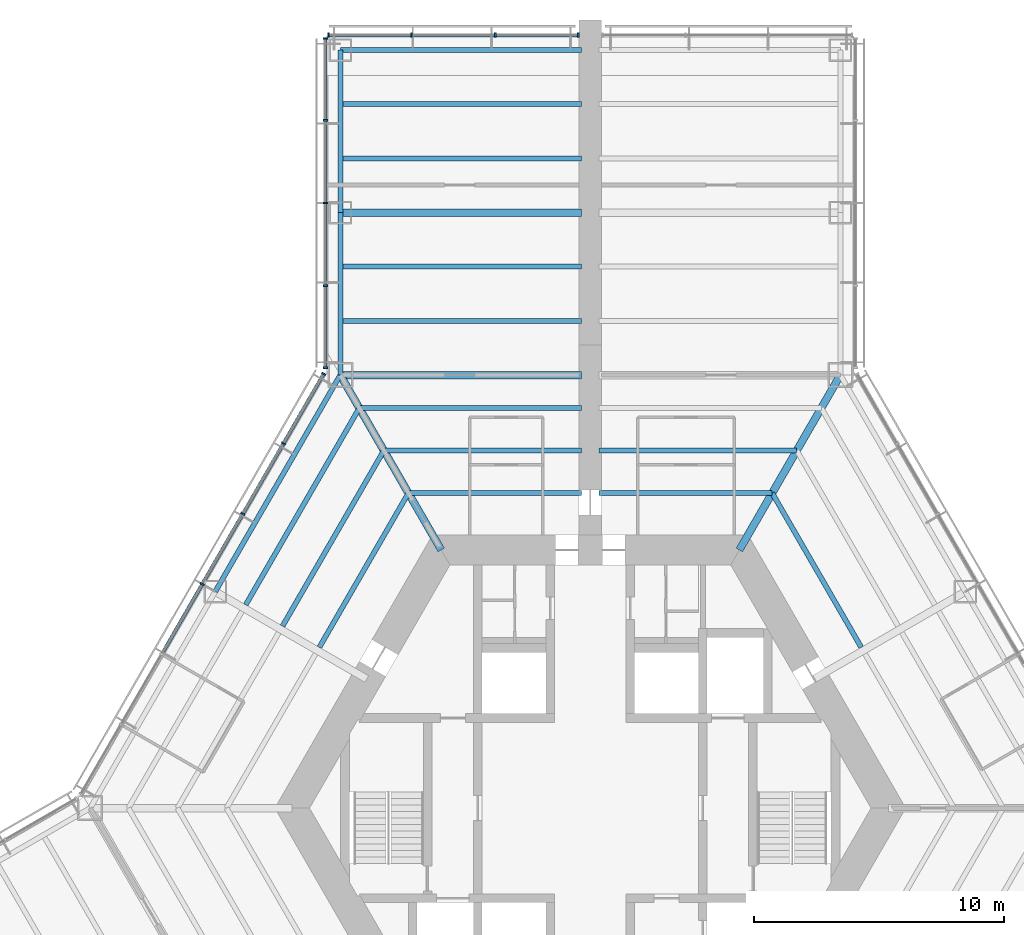
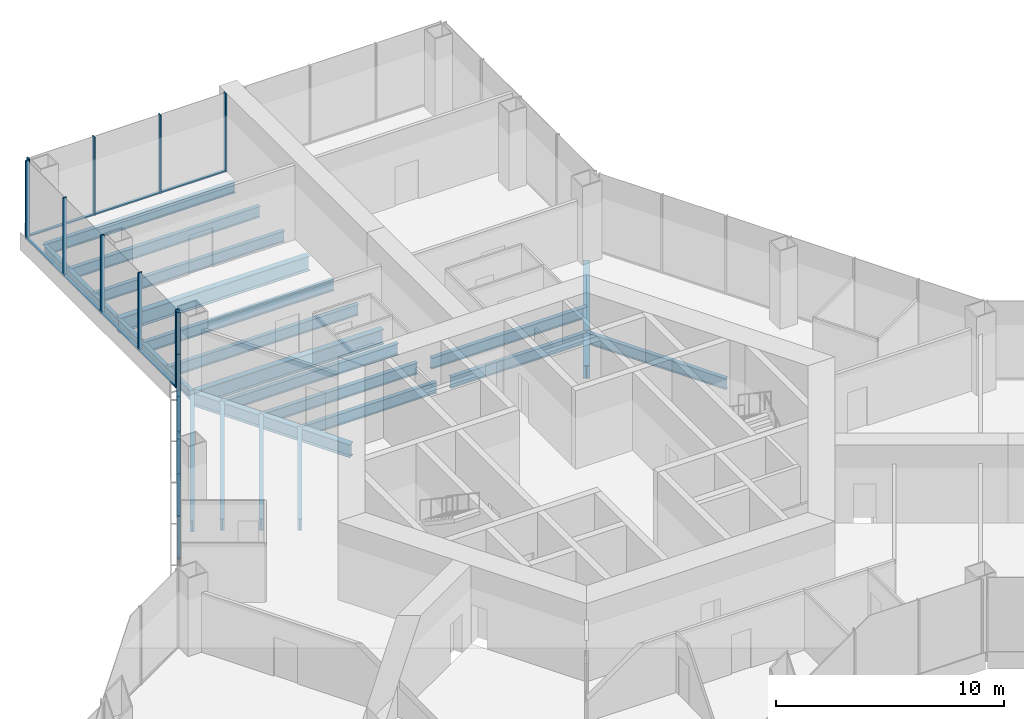
# One storey, part 6 of 16: 24 members, 21 beams, 3 elements without a shape of their own.
"""IFC4 building model written with IfcOpenShell, lengths in metres."""

from ifc_helpers import new_model, si_unit, direction, frame, origin, origin_2d, place, context, subcontext, project, spatial, rectangle, i_section, extrude, material, material_profile, profile_set, type_object, element, aggregate, save


model = new_model("IFC4")

# Units and contexts
model_context = context("Model", 3, precision=1e-05, world=origin(), true_north=direction((0.0, 1.0)))
body_context = subcontext(model_context, "Body", "Model", "MODEL_VIEW")
ifc_project = project(units=[si_unit("LENGTHUNIT", "METRE"), si_unit("AREAUNIT", "SQUARE_METRE"), si_unit("VOLUMEUNIT", "CUBIC_METRE"), si_unit("PLANEANGLEUNIT", "RADIAN"), si_unit("MASSUNIT", "GRAM", prefix="KILO")], contexts=[model_context])

# Site, building, storey
site_placement = place(None, origin())
site = spatial("IfcSite", under=ifc_project, at=site_placement, CompositionType="ELEMENT")
building_placement = place(site_placement, origin())
building = spatial("IfcBuilding", under=site, at=building_placement, Name="Kasaneha Research Tower", CompositionType="ELEMENT")
storey_placement = place(building_placement, frame((0.0, 0.0, 22.60009765625)))
storey = spatial("IfcBuildingStorey", under=building, at=storey_placement, Name="L06", CompositionType="ELEMENT", Elevation=22.60009765625)

# Beams
ifc_material_1 = material(Name="Steel SN490B", Category="steel")
ifc_material_profile_1 = material_profile(ifc_material_1, i_section(OverallWidth=0.199951171875, OverallDepth=0.60009765625, WebThickness=0.010986328125, FlangeThickness=0.01708984375, FilletRadius=0.012939453125, at=origin_2d()), Name="H-600x200x11x17")
ifc_profile_set_1 = profile_set([ifc_material_profile_1], Name="Steel SN490B")
beam_type_1 = type_object("IfcBeamType", Name="B1-1 secondary beam H-600x200x11x17", PredefinedType="JOIST", material=ifc_profile_set_1)
beam_1_placement = place(storey_placement, frame((7.274658203125, 12.60009765625, -0.5), z_axis=(0.499990404686, -0.866030943571, 0.0), x_axis=(0.866030943571, 0.499990404686, 0.0)))
element("IfcBeam", 1, at=beam_1_placement, inside=storey, type_object=beam_type_1, Name="Secondary beam RS030R1 L06", PredefinedType="JOIST", context=body_context, shape_type="SweptSolid", body=[
    extrude(i_section(OverallWidth=0.199951171875, OverallDepth=0.60009765625, WebThickness=0.010986328125, FlangeThickness=0.01708984375, FilletRadius=0.012939453125, at=origin_2d()), origin(), (0.0, 0.0, 1.0), 7.124755859375),
])
beam_2_placement = place(storey_placement, frame((7.274658203125, 12.60009765625, -0.5), z_axis=(-1.0, 0.0, 0.0), x_axis=(0.0, -1.0, 0.0)))
element("IfcBeam", 2, at=beam_2_placement, inside=storey, type_object=beam_type_1, Name="Secondary beam RS090L1 L06", PredefinedType="JOIST", context=body_context, shape_type="SweptSolid", body=[
    extrude(i_section(OverallWidth=0.199951171875, OverallDepth=0.60009765625, WebThickness=0.010986328125, FlangeThickness=0.01708984375, FilletRadius=0.012939453125, at=origin_2d()), origin(), (0.0, 0.0, 1.0), 6.924560546875),
])
beam_3_placement = place(storey_placement, frame((8.256103515625, 14.300048828125, -0.5), z_axis=(-1.0, 0.0, 0.0), x_axis=(0.0, -1.0, 0.0)))
element("IfcBeam", 3, at=beam_3_placement, inside=storey, type_object=beam_type_1, Name="Secondary beam RS090L2 L06", PredefinedType="JOIST", context=body_context, shape_type="SweptSolid", body=[
    extrude(i_section(OverallWidth=0.199951171875, OverallDepth=0.60009765625, WebThickness=0.010986328125, FlangeThickness=0.01708984375, FilletRadius=0.012939453125, at=origin_2d()), origin(), (0.0, 0.0, 1.0), 7.906005859375),
])
beam_4_placement = place(storey_placement, frame((-7.274658203125, 12.60009765625, -0.5), z_axis=(1.0, 0.0, 0.0), x_axis=(0.0, 1.0, 0.0)))
element("IfcBeam", 4, at=beam_4_placement, inside=storey, type_object=beam_type_1, Name="Secondary beam RS090R1 L06", PredefinedType="JOIST", context=body_context, shape_type="SweptSolid", body=[
    extrude(i_section(OverallWidth=0.199951171875, OverallDepth=0.60009765625, WebThickness=0.010986328125, FlangeThickness=0.01708984375, FilletRadius=0.012939453125, at=origin_2d()), origin(), (0.0, 0.0, 1.0), 6.924560546875),
])
beam_5_placement = place(storey_placement, frame((-8.256103515625, 14.300048828125, -0.5), z_axis=(1.0, 0.0, 0.0), x_axis=(0.0, 1.0, 0.0)))
element("IfcBeam", 5, at=beam_5_placement, inside=storey, type_object=beam_type_1, Name="Secondary beam RS090R2 L06", PredefinedType="JOIST", context=body_context, shape_type="SweptSolid", body=[
    extrude(i_section(OverallWidth=0.199951171875, OverallDepth=0.60009765625, WebThickness=0.010986328125, FlangeThickness=0.01708984375, FilletRadius=0.012939453125, at=origin_2d()), origin(), (0.0, 0.0, 1.0), 7.906005859375),
])
beam_6_placement = place(storey_placement, frame((-9.237548828125, 16.0, -0.5), z_axis=(1.0, 0.0, 0.0), x_axis=(0.0, 1.0, 0.0)))
element("IfcBeam", 6, at=beam_6_placement, inside=storey, type_object=beam_type_1, Name="Secondary beam RS090R3 L06", PredefinedType="JOIST", context=body_context, shape_type="SweptSolid", body=[
    extrude(i_section(OverallWidth=0.199951171875, OverallDepth=0.60009765625, WebThickness=0.010986328125, FlangeThickness=0.01708984375, FilletRadius=0.012939453125, at=origin_2d()), origin(), (0.0, 0.0, 1.0), 8.887451171875),
])
beam_7_placement = place(storey_placement, frame((-7.274658203125, 12.60009765625, -0.5), z_axis=(-0.499990404686, -0.866030943571, 0.0), x_axis=(0.866030943571, -0.499990404686, 0.0)))
element("IfcBeam", 7, at=beam_7_placement, inside=storey, type_object=beam_type_1, Name="Secondary beam RS150L1 L06", PredefinedType="JOIST", context=body_context, shape_type="SweptSolid", body=[
    extrude(i_section(OverallWidth=0.199951171875, OverallDepth=0.60009765625, WebThickness=0.010986328125, FlangeThickness=0.01708984375, FilletRadius=0.012939453125, at=origin_2d()), origin(), (0.0, 0.0, 1.0), 7.124755859375),
])
beam_8_placement = place(storey_placement, frame((-8.256103515625, 14.300048828125, -0.5), z_axis=(-0.499984030215, -0.866034623748, 0.0), x_axis=(0.866034623748, -0.499984030215, 0.0)))
element("IfcBeam", 8, at=beam_8_placement, inside=storey, type_object=beam_type_1, Name="Secondary beam RS150L2 L06", PredefinedType="JOIST", context=body_context, shape_type="SweptSolid", body=[
    extrude(i_section(OverallWidth=0.199951171875, OverallDepth=0.60009765625, WebThickness=0.010986328125, FlangeThickness=0.01708984375, FilletRadius=0.012939453125, at=origin_2d()), origin(), (0.0, 0.0, 1.0), 8.106201171875),
])
beam_9_placement = place(storey_placement, frame((-9.237548828125, 16.0, -0.5), z_axis=(-0.500010814234, -0.866019160093, 0.0), x_axis=(0.866019160093, -0.500010814234, 0.0)))
element("IfcBeam", 9, at=beam_9_placement, inside=storey, type_object=beam_type_1, Name="Secondary beam RS150L3 L06", PredefinedType="JOIST", context=body_context, shape_type="SweptSolid", body=[
    extrude(i_section(OverallWidth=0.199951171875, OverallDepth=0.60009765625, WebThickness=0.010986328125, FlangeThickness=0.01708984375, FilletRadius=0.012939453125, at=origin_2d()), origin(), (0.0, 0.0, 1.0), 9.087646484375),
])
ifc_material_2 = material(Name="Steel SN490B", Category="steel")
ifc_material_profile_2 = material_profile(ifc_material_2, i_section(OverallWidth=0.198974609375, OverallDepth=0.595947265625, WebThickness=0.010009765625, FlangeThickness=0.014892578125, FilletRadius=0.012939453125, at=origin_2d()), Name="H-596x199x10x15")
ifc_profile_set_2 = profile_set([ifc_material_profile_2], Name="Steel SN490B")
beam_type_2 = type_object("IfcBeamType", Name="B2-1 secondary beam H-596x199x10x15", PredefinedType="JOIST", material=ifc_profile_set_2)
for number, where, z_axis, x_axis, name in (
    (10, (-10.0, 19.487060546875, -0.498046875), (1.0, 0.0, 0.0), (0.0, 1.0, 0.0), "Secondary beam WBAN1 L06"),
    (11, (-10.0, 21.65380859375, -0.498046875), (1.0, 0.0, 0.0), (0.0, 1.0, 0.0), "Secondary beam WBAN2 L06"),
    (12, (-10.0, 25.987060546875, -0.498046875), (1.0, 0.0, 0.0), (0.0, 1.0, 0.0), "Secondary beam WBAN3 L06"),
    (13, (-10.0, 28.15380859375, -0.498046875), (1.0, 0.0, 0.0), (0.0, 1.0, 0.0), "Secondary beam WBAN4 L06"),
):
    element("IfcBeam", number, at=place(storey_placement, frame(where, z_axis=z_axis, x_axis=x_axis)), inside=storey, type_object=beam_type_2, Name=name, PredefinedType="JOIST", context=body_context, shape_type="SweptSolid", body=[
        extrude(i_section(OverallWidth=0.198974609375, OverallDepth=0.595947265625, WebThickness=0.010009765625, FlangeThickness=0.014892578125, FilletRadius=0.012939453125, at=origin_2d()), origin(), (0.0, 0.0, 1.0), 9.64990234375),
    ])

# Curtain wall, members
ifc_material_3 = material(Name="Glass and aluminium", Category="aluminium")
curtain_wall_type = type_object("IfcCurtainWallType", Name="Wet laboratory curtain wall", PredefinedType="USERDEFINED", material=ifc_material_3)
curtain_wall_1_placement = place(storey_placement, origin())
curtain_wall_1 = element("IfcCurtainWall", 14, at=curtain_wall_1_placement, inside=storey, type_object=curtain_wall_type, Name="CW-L1 L06 run 10a", ObjectType="UNITISED CURTAIN WALL", PredefinedType="USERDEFINED")
ifc_material_4 = material(Name="Aluminium 6063-T6", Category="aluminium")
ifc_material_profile_3 = material_profile(ifc_material_4, rectangle(XDim=0.06494140625, YDim=0.179931640625, at=origin_2d()), Name="CW-L1 mullion 65x180")
ifc_profile_set_3 = profile_set([ifc_material_profile_3], Name="Aluminium 6063-T6")
member_type_1 = type_object("IfcMemberType", Name="CW-L1 mullion", PredefinedType="MULLION", material=ifc_profile_set_3)
member_1_placement = place(storey_placement, frame((-0.482421875, 30.92041015625, 0.0), z_axis=(0.0, 0.0, 1.0), x_axis=(-1.0, 0.0, 0.0)))
member_1 = element("IfcMember", 15, at=member_1_placement, type_object=member_type_1, Name="CW-L1 mullion 1", PredefinedType="MULLION", context=body_context, shape_type="SweptSolid", body=[
    extrude(rectangle(XDim=0.06494140625, YDim=0.179931640625, at=origin_2d()), origin(), (0.0, 0.0, 1.0), 4.199951171875),
])
member_2_placement = place(storey_placement, frame((-3.800048828125, 30.92041015625, 0.0), z_axis=(0.0, 0.0, 1.0), x_axis=(-1.0, 0.0, 0.0)))
member_2 = element("IfcMember", 16, at=member_2_placement, type_object=member_type_1, Name="CW-L1 mullion 2", PredefinedType="MULLION", context=body_context, shape_type="SweptSolid", body=[
    extrude(rectangle(XDim=0.06494140625, YDim=0.179931640625, at=origin_2d()), origin(), (0.0, 0.0, 1.0), 4.199951171875),
])
member_3_placement = place(storey_placement, frame((-7.14990234375, 30.92041015625, 0.0), z_axis=(0.0, 0.0, 1.0), x_axis=(-1.0, 0.0, 0.0)))
member_3 = element("IfcMember", 17, at=member_3_placement, type_object=member_type_1, Name="CW-L1 mullion 3", PredefinedType="MULLION", context=body_context, shape_type="SweptSolid", body=[
    extrude(rectangle(XDim=0.06494140625, YDim=0.179931640625, at=origin_2d()), origin(), (0.0, 0.0, 1.0), 4.199951171875),
])
member_4_placement = place(storey_placement, frame((-10.467529296875, 30.92041015625, 0.0), z_axis=(0.0, 0.0, 1.0), x_axis=(-1.0, 0.0, 0.0)))
member_4 = element("IfcMember", 18, at=member_4_placement, type_object=member_type_1, Name="CW-L1 mullion 4", PredefinedType="MULLION", context=body_context, shape_type="SweptSolid", body=[
    extrude(rectangle(XDim=0.06494140625, YDim=0.179931640625, at=origin_2d()), origin(), (0.0, 0.0, 1.0), 4.199951171875),
])

curtain_wall_2_placement = place(storey_placement, origin())
curtain_wall_2 = element("IfcCurtainWall", 19, at=curtain_wall_2_placement, inside=storey, type_object=curtain_wall_type, Name="CW-L1 L06 run 11a", ObjectType="UNITISED CURTAIN WALL", PredefinedType="USERDEFINED")
member_5_placement = place(storey_placement, frame((-10.60009765625, 30.7880859375, 0.0), z_axis=(0.0, 0.0, 1.0), x_axis=(0.0, -1.0, 0.0)))
member_5 = element("IfcMember", 20, at=member_5_placement, type_object=member_type_1, Name="CW-L1 mullion 1", PredefinedType="MULLION", context=body_context, shape_type="SweptSolid", body=[
    extrude(rectangle(XDim=0.06494140625, YDim=0.179931640625, at=origin_2d()), origin(), (0.0, 0.0, 1.0), 4.199951171875),
])
member_6_placement = place(storey_placement, frame((-10.60009765625, 27.5107421875, 0.0), z_axis=(0.0, 0.0, 1.0), x_axis=(0.0, -1.0, 0.0)))
member_6 = element("IfcMember", 21, at=member_6_placement, type_object=member_type_1, Name="CW-L1 mullion 2", PredefinedType="MULLION", context=body_context, shape_type="SweptSolid", body=[
    extrude(rectangle(XDim=0.06494140625, YDim=0.179931640625, at=origin_2d()), origin(), (0.0, 0.0, 1.0), 4.199951171875),
])
member_7_placement = place(storey_placement, frame((-10.60009765625, 24.200927734375, 0.0), z_axis=(0.0, 0.0, 1.0), x_axis=(0.0, -1.0, 0.0)))
member_7 = element("IfcMember", 22, at=member_7_placement, type_object=member_type_1, Name="CW-L1 mullion 3", PredefinedType="MULLION", context=body_context, shape_type="SweptSolid", body=[
    extrude(rectangle(XDim=0.06494140625, YDim=0.179931640625, at=origin_2d()), origin(), (0.0, 0.0, 1.0), 4.199951171875),
])
member_8_placement = place(storey_placement, frame((-10.60009765625, 20.89111328125, 0.0), z_axis=(0.0, 0.0, 1.0), x_axis=(0.0, -1.0, 0.0)))
member_8 = element("IfcMember", 23, at=member_8_placement, type_object=member_type_1, Name="CW-L1 mullion 4", PredefinedType="MULLION", context=body_context, shape_type="SweptSolid", body=[
    extrude(rectangle(XDim=0.06494140625, YDim=0.179931640625, at=origin_2d()), origin(), (0.0, 0.0, 1.0), 4.199951171875),
])
member_9_placement = place(storey_placement, frame((-10.60009765625, 17.61376953125, 0.0), z_axis=(0.0, 0.0, 1.0), x_axis=(0.0, -1.0, 0.0)))
member_9 = element("IfcMember", 24, at=member_9_placement, type_object=member_type_1, Name="CW-L1 mullion 5", PredefinedType="MULLION", context=body_context, shape_type="SweptSolid", body=[
    extrude(rectangle(XDim=0.06494140625, YDim=0.179931640625, at=origin_2d()), origin(), (0.0, 0.0, 1.0), 4.199951171875),
])

curtain_wall_3_placement = place(storey_placement, origin())
curtain_wall_3 = element("IfcCurtainWall", 25, at=curtain_wall_3_placement, inside=storey, type_object=curtain_wall_type, Name="CW-L1 L06 run 12a", ObjectType="UNITISED CURTAIN WALL", PredefinedType="USERDEFINED")
member_10_placement = place(storey_placement, frame((-10.666259765625, 17.366455078125, 0.0), z_axis=(0.0, 0.0, 1.0), x_axis=(-0.49999996188, -0.866025425793, 0.0)))
member_10 = element("IfcMember", 26, at=member_10_placement, type_object=member_type_1, Name="CW-L1 mullion 1", PredefinedType="MULLION", context=body_context, shape_type="SweptSolid", body=[
    extrude(rectangle(XDim=0.06494140625, YDim=0.179931640625, at=origin_2d()), origin(), (0.0, 0.0, 1.0), 4.199951171875),
])
member_11_placement = place(storey_placement, frame((-12.273193359375, 14.583251953125, 0.0), z_axis=(0.0, 0.0, 1.0), x_axis=(-0.49999996188, -0.866025425793, 0.0)))
member_11 = element("IfcMember", 27, at=member_11_placement, type_object=member_type_1, Name="CW-L1 mullion 2", PredefinedType="MULLION", context=body_context, shape_type="SweptSolid", body=[
    extrude(rectangle(XDim=0.06494140625, YDim=0.179931640625, at=origin_2d()), origin(), (0.0, 0.0, 1.0), 4.199951171875),
])
member_12_placement = place(storey_placement, frame((-13.896484375, 11.771728515625, 0.0), z_axis=(0.0, 0.0, 1.0), x_axis=(-0.49999996188, -0.866025425793, 0.0)))
member_12 = element("IfcMember", 28, at=member_12_placement, type_object=member_type_1, Name="CW-L1 mullion 3", PredefinedType="MULLION", context=body_context, shape_type="SweptSolid", body=[
    extrude(rectangle(XDim=0.06494140625, YDim=0.179931640625, at=origin_2d()), origin(), (0.0, 0.0, 1.0), 4.199951171875),
])
member_13_placement = place(storey_placement, frame((-15.51953125, 8.960205078125, 0.0), z_axis=(0.0, 0.0, 1.0), x_axis=(-0.49999996188, -0.866025425793, 0.0)))
member_13 = element("IfcMember", 29, at=member_13_placement, type_object=member_type_1, Name="CW-L1 mullion 4", PredefinedType="MULLION", context=body_context, shape_type="SweptSolid", body=[
    extrude(rectangle(XDim=0.06494140625, YDim=0.179931640625, at=origin_2d()), origin(), (0.0, 0.0, 1.0), 4.199951171875),
])

# Member
ifc_material_5 = material(Name="Aluminium 6063-T6", Category="aluminium")
ifc_material_profile_4 = material_profile(ifc_material_5, rectangle(XDim=0.139892578125, YDim=0.06494140625, at=origin_2d()), Name="CW-L1 transom 140x65")
ifc_profile_set_4 = profile_set([ifc_material_profile_4], Name="Aluminium 6063-T6")
member_type_2 = type_object("IfcMemberType", Name="CW-L1 transom", PredefinedType="USERDEFINED", material=ifc_profile_set_4)
member_14_placement = place(storey_placement, frame((-0.514892578125, 30.92041015625, 0.032470703125), z_axis=(-1.0, 0.0, 0.0), x_axis=(0.0, -1.0, 0.0)))
member_14 = element("IfcMember", 30, at=member_14_placement, type_object=member_type_2, Name="CW-L1 transom 1", ObjectType="TRANSOM", PredefinedType="USERDEFINED", context=body_context, shape_type="SweptSolid", body=[
    extrude(rectangle(XDim=0.139892578125, YDim=0.06494140625, at=origin_2d()), origin(), (0.0, 0.0, 1.0), 3.252685546875),
])

member_15_placement = place(storey_placement, frame((-3.83251953125, 30.92041015625, 0.032470703125), z_axis=(-1.0, 0.0, 0.0), x_axis=(0.0, -1.0, 0.0)))
member_15 = element("IfcMember", 31, at=member_15_placement, type_object=member_type_2, Name="CW-L1 transom 2", ObjectType="TRANSOM", PredefinedType="USERDEFINED", context=body_context, shape_type="SweptSolid", body=[
    extrude(rectangle(XDim=0.139892578125, YDim=0.06494140625, at=origin_2d()), origin(), (0.0, 0.0, 1.0), 3.284912109375),
])

member_16_placement = place(storey_placement, frame((-7.1826171875, 30.92041015625, 0.032470703125), z_axis=(-1.0, 0.0, 0.0), x_axis=(0.0, -1.0, 0.0)))
member_16 = element("IfcMember", 32, at=member_16_placement, type_object=member_type_2, Name="CW-L1 transom 3", ObjectType="TRANSOM", PredefinedType="USERDEFINED", context=body_context, shape_type="SweptSolid", body=[
    extrude(rectangle(XDim=0.139892578125, YDim=0.06494140625, at=origin_2d()), origin(), (0.0, 0.0, 1.0), 3.25244140625),
])

aggregate(curtain_wall_1, [member_1, member_2, member_3, member_4, member_14, member_15, member_16])

member_17_placement = place(storey_placement, frame((-10.60009765625, 30.755615234375, 0.032470703125), z_axis=(0.0, -1.0, 0.0), x_axis=(1.0, 0.0, 0.0)))
member_17 = element("IfcMember", 33, at=member_17_placement, type_object=member_type_2, Name="CW-L1 transom 1", ObjectType="TRANSOM", PredefinedType="USERDEFINED", context=body_context, shape_type="SweptSolid", body=[
    extrude(rectangle(XDim=0.139892578125, YDim=0.06494140625, at=origin_2d()), origin(), (0.0, 0.0, 1.0), 3.21240234375),
])

member_18_placement = place(storey_placement, frame((-10.60009765625, 27.478271484375, 0.032470703125), z_axis=(0.0, -1.0, 0.0), x_axis=(1.0, 0.0, 0.0)))
member_18 = element("IfcMember", 34, at=member_18_placement, type_object=member_type_2, Name="CW-L1 transom 2", ObjectType="TRANSOM", PredefinedType="USERDEFINED", context=body_context, shape_type="SweptSolid", body=[
    extrude(rectangle(XDim=0.139892578125, YDim=0.06494140625, at=origin_2d()), origin(), (0.0, 0.0, 1.0), 3.244873046875),
])

member_19_placement = place(storey_placement, frame((-10.60009765625, 24.16845703125, 0.032470703125), z_axis=(0.0, -1.0, 0.0), x_axis=(1.0, 0.0, 0.0)))
member_19 = element("IfcMember", 35, at=member_19_placement, type_object=member_type_2, Name="CW-L1 transom 3", ObjectType="TRANSOM", PredefinedType="USERDEFINED", context=body_context, shape_type="SweptSolid", body=[
    extrude(rectangle(XDim=0.139892578125, YDim=0.06494140625, at=origin_2d()), origin(), (0.0, 0.0, 1.0), 3.244873046875),
])

member_20_placement = place(storey_placement, frame((-10.60009765625, 20.858642578125, 0.032470703125), z_axis=(0.0, -1.0, 0.0), x_axis=(1.0, 0.0, 0.0)))
member_20 = element("IfcMember", 36, at=member_20_placement, type_object=member_type_2, Name="CW-L1 transom 4", ObjectType="TRANSOM", PredefinedType="USERDEFINED", context=body_context, shape_type="SweptSolid", body=[
    extrude(rectangle(XDim=0.139892578125, YDim=0.06494140625, at=origin_2d()), origin(), (0.0, 0.0, 1.0), 3.21240234375),
])

aggregate(curtain_wall_2, [member_5, member_6, member_7, member_8, member_9, member_17, member_18, member_19, member_20])

member_21_placement = place(storey_placement, frame((-10.6826171875, 17.33837890625, 0.032470703125), z_axis=(-0.499941702305, -0.866059059358, 0.0), x_axis=(0.866059059358, -0.499941702305, 0.0)))
member_21 = element("IfcMember", 37, at=member_21_placement, type_object=member_type_2, Name="CW-L1 transom 1", ObjectType="TRANSOM", PredefinedType="USERDEFINED", context=body_context, shape_type="SweptSolid", body=[
    extrude(rectangle(XDim=0.139892578125, YDim=0.06494140625, at=origin_2d()), origin(), (0.0, 0.0, 1.0), 3.14892578125),
])

member_22_placement = place(storey_placement, frame((-12.28955078125, 14.55517578125, 0.032470703125), z_axis=(-0.499943876812, -0.866057804098, 0.0), x_axis=(0.866057804098, -0.499943876812, 0.0)))
member_22 = element("IfcMember", 38, at=member_22_placement, type_object=member_type_2, Name="CW-L1 transom 2", ObjectType="TRANSOM", PredefinedType="USERDEFINED", context=body_context, shape_type="SweptSolid", body=[
    extrude(rectangle(XDim=0.139892578125, YDim=0.06494140625, at=origin_2d()), origin(), (0.0, 0.0, 1.0), 3.181396484375),
])

member_23_placement = place(storey_placement, frame((-13.91259765625, 11.74365234375, 0.032470703125), z_axis=(-0.500001430823, -0.866024577697, 0.0), x_axis=(0.866024577697, -0.500001430823, 0.0)))
member_23 = element("IfcMember", 39, at=member_23_placement, type_object=member_type_2, Name="CW-L1 transom 3", ObjectType="TRANSOM", PredefinedType="USERDEFINED", context=body_context, shape_type="SweptSolid", body=[
    extrude(rectangle(XDim=0.139892578125, YDim=0.06494140625, at=origin_2d()), origin(), (0.0, 0.0, 1.0), 3.181640625),
])

member_24_placement = place(storey_placement, frame((-15.535888671875, 8.93212890625, 0.032470703125), z_axis=(-0.499977104415, -0.866038622153, 0.0), x_axis=(0.866038622153, -0.499977104415, 0.0)))
member_24 = element("IfcMember", 40, at=member_24_placement, type_object=member_type_2, Name="CW-L1 transom 4", ObjectType="TRANSOM", PredefinedType="USERDEFINED", context=body_context, shape_type="SweptSolid", body=[
    extrude(rectangle(XDim=0.139892578125, YDim=0.06494140625, at=origin_2d()), origin(), (0.0, 0.0, 1.0), 3.181396484375),
])

aggregate(curtain_wall_3, [member_10, member_11, member_12, member_13, member_21, member_22, member_23, member_24])

# Beams
ifc_material_6 = material(Name="Steel SN490B", Category="steel")
ifc_material_profile_5 = material_profile(ifc_material_6, i_section(OverallWidth=0.300048828125, OverallDepth=0.699951171875, WebThickness=0.012939453125, FlangeThickness=0.02392578125, FilletRadius=0.01806640625, at=origin_2d()), Name="H-700x300x13x24")
ifc_profile_set_5 = profile_set([ifc_material_profile_5], Name="Steel SN490B")
beam_type_3 = type_object("IfcBeamType", Name="G1-1 radial girder H-700x300x13x24", PredefinedType="BEAM", material=ifc_profile_set_5)
for number, where, z_axis, x_axis, name in (
    (41, (5.961181640625, 10.324951171875, -0.550048828125), (0.49999105496, 0.866030568144, 0.0), (-0.866030568144, 0.49999105496, 0.0), "Radial girder RV060 L06"),
    (42, (-5.961181640625, 10.324951171875, -0.550048828125), (-0.49999105496, 0.866030568144, 0.0), (-0.866030568144, -0.49999105496, 0.0), "Radial girder RV120 L06"),
):
    element("IfcBeam", number, at=place(storey_placement, frame(where, z_axis=z_axis, x_axis=x_axis)), inside=storey, type_object=beam_type_3, Name=name, PredefinedType="BEAM", context=body_context, shape_type="SweptSolid", body=[
        extrude(i_section(OverallWidth=0.300048828125, OverallDepth=0.699951171875, WebThickness=0.012939453125, FlangeThickness=0.02392578125, FilletRadius=0.01806640625, at=origin_2d()), origin(), (0.0, 0.0, 1.0), 8.077880859375),
    ])
ifc_material_7 = material(Name="Steel SN490B", Category="steel")
ifc_material_profile_6 = material_profile(ifc_material_7, i_section(OverallWidth=0.300048828125, OverallDepth=0.7919921875, WebThickness=0.013916015625, FlangeThickness=0.02197265625, FilletRadius=0.01806640625, at=origin_2d()), Name="H-792x300x14x22")
ifc_profile_set_6 = profile_set([ifc_material_profile_6], Name="Steel SN490B")
beam_type_4 = type_object("IfcBeamType", Name="G3-1 plate edge girder H-792x300x14x22", PredefinedType="BEAM", material=ifc_profile_set_6)
beam_10_placement = place(storey_placement, frame((-10.0, 17.320556640625, -0.59619140625), z_axis=(1.0, 0.0, 0.0), x_axis=(0.0, 1.0, 0.0)))
element("IfcBeam", 43, at=beam_10_placement, inside=storey, type_object=beam_type_4, Name="Plate edge girder PEAN L06", PredefinedType="BEAM", context=body_context, shape_type="SweptSolid", body=[
    extrude(i_section(OverallWidth=0.300048828125, OverallDepth=0.7919921875, WebThickness=0.013916015625, FlangeThickness=0.02197265625, FilletRadius=0.01806640625, at=origin_2d()), origin(), (0.0, 0.0, 1.0), 9.64990234375),
])
ifc_material_8 = material(Name="Steel SN490B", Category="steel")
ifc_material_profile_7 = material_profile(ifc_material_8, i_section(OverallWidth=0.300048828125, OverallDepth=0.800048828125, WebThickness=0.013916015625, FlangeThickness=0.02587890625, FilletRadius=0.01806640625, at=origin_2d()), Name="H-800x300x14x26")
ifc_profile_set_7 = profile_set([ifc_material_profile_7], Name="Steel SN490B")
beam_type_5 = type_object("IfcBeamType", Name="G4-1 wing girder H-800x300x14x26", PredefinedType="BEAM", material=ifc_profile_set_7)
beam_11_placement = place(storey_placement, frame((-10.0, 23.820556640625, -0.60009765625), z_axis=(1.0, 0.0, 0.0), x_axis=(0.0, 1.0, 0.0)))
element("IfcBeam", 44, at=beam_11_placement, inside=storey, type_object=beam_type_5, Name="Wing girder WGAN L06", PredefinedType="BEAM", context=body_context, shape_type="SweptSolid", body=[
    extrude(i_section(OverallWidth=0.300048828125, OverallDepth=0.800048828125, WebThickness=0.013916015625, FlangeThickness=0.02587890625, FilletRadius=0.01806640625, at=origin_2d()), origin(), (0.0, 0.0, 1.0), 9.64990234375),
])
ifc_material_9 = material(Name="Steel SN490B", Category="steel")
ifc_material_profile_8 = material_profile(ifc_material_9, i_section(OverallWidth=0.199951171875, OverallDepth=0.60009765625, WebThickness=0.010986328125, FlangeThickness=0.01708984375, FilletRadius=0.012939453125, at=origin_2d()), Name="H-600x200x11x17")
ifc_profile_set_8 = profile_set([ifc_material_profile_8], Name="Steel SN490B")
beam_type_6 = type_object("IfcBeamType", Name="SB1-1 spandrel beam H-600x200x11x17", PredefinedType="SPANDREL", material=ifc_profile_set_8)
beam_12_placement = place(storey_placement, frame((-10.0, 17.320556640625, -0.5), z_axis=(-0.499993662806, -0.866029062534, 0.0), x_axis=(0.866029062534, -0.499993662806, 0.0)))
element("IfcBeam", 45, at=beam_12_placement, inside=storey, type_object=beam_type_6, Name="Spandrel beam SR150L L06", PredefinedType="SPANDREL", context=body_context, shape_type="SweptSolid", body=[
    extrude(i_section(OverallWidth=0.199951171875, OverallDepth=0.60009765625, WebThickness=0.010986328125, FlangeThickness=0.01708984375, FilletRadius=0.012939453125, at=origin_2d()), origin(), (0.0, 0.0, 1.0), 10.000244140625),
])
ifc_material_10 = material(Name="Steel SN490B", Category="steel")
ifc_material_profile_9 = material_profile(ifc_material_10, i_section(OverallWidth=0.199951171875, OverallDepth=0.5, WebThickness=0.010009765625, FlangeThickness=0.01611328125, FilletRadius=0.012939453125, at=origin_2d()), Name="H-500x200x10x16")
ifc_profile_set_9 = profile_set([ifc_material_profile_9], Name="Steel SN490B")
beam_type_7 = type_object("IfcBeamType", Name="SB2-1 spandrel beam H-500x200x10x16", PredefinedType="SPANDREL", material=ifc_profile_set_9)
for number, where, z_axis, x_axis, name in (
    (46, (-10.0, 17.320556640625, -0.4501953125), (0.0, 1.0, 0.0), (-1.0, 0.0, 0.0), "Spandrel beam WSAN1 L06"),
    (47, (-10.0, 23.820556640625, -0.4501953125), (0.0, 1.0, 0.0), (-1.0, 0.0, 0.0), "Spandrel beam WSAN2 L06"),
):
    element("IfcBeam", number, at=place(storey_placement, frame(where, z_axis=z_axis, x_axis=x_axis)), inside=storey, type_object=beam_type_7, Name=name, PredefinedType="SPANDREL", context=body_context, shape_type="SweptSolid", body=[
        extrude(i_section(OverallWidth=0.199951171875, OverallDepth=0.5, WebThickness=0.010009765625, FlangeThickness=0.01611328125, FilletRadius=0.012939453125, at=origin_2d()), origin(), (0.0, 0.0, 1.0), 6.5),
    ])
ifc_material_11 = material(Name="Steel SN490B", Category="steel")
ifc_material_profile_10 = material_profile(ifc_material_11, i_section(OverallWidth=0.199951171875, OverallDepth=0.60009765625, WebThickness=0.010986328125, FlangeThickness=0.01708984375, FilletRadius=0.012939453125, at=origin_2d()), Name="H-600x200x11x17")
ifc_profile_set_10 = profile_set([ifc_material_profile_10], Name="Steel SN490B")
beam_type_8 = type_object("IfcBeamType", Name="SB3-1 spandrel beam H-600x200x11x17", PredefinedType="SPANDREL", material=ifc_profile_set_10)
beam_13_placement = place(storey_placement, frame((-10.0, 30.320556640625, -0.5), z_axis=(1.0, 0.0, 0.0), x_axis=(0.0, 1.0, 0.0)))
element("IfcBeam", 48, at=beam_13_placement, inside=storey, type_object=beam_type_8, Name="Spandrel beam WTAN L06", PredefinedType="SPANDREL", context=body_context, shape_type="SweptSolid", body=[
    extrude(i_section(OverallWidth=0.199951171875, OverallDepth=0.60009765625, WebThickness=0.010986328125, FlangeThickness=0.01708984375, FilletRadius=0.012939453125, at=origin_2d()), origin(), (0.0, 0.0, 1.0), 9.64990234375),
])

save(model, "model.ifc")
